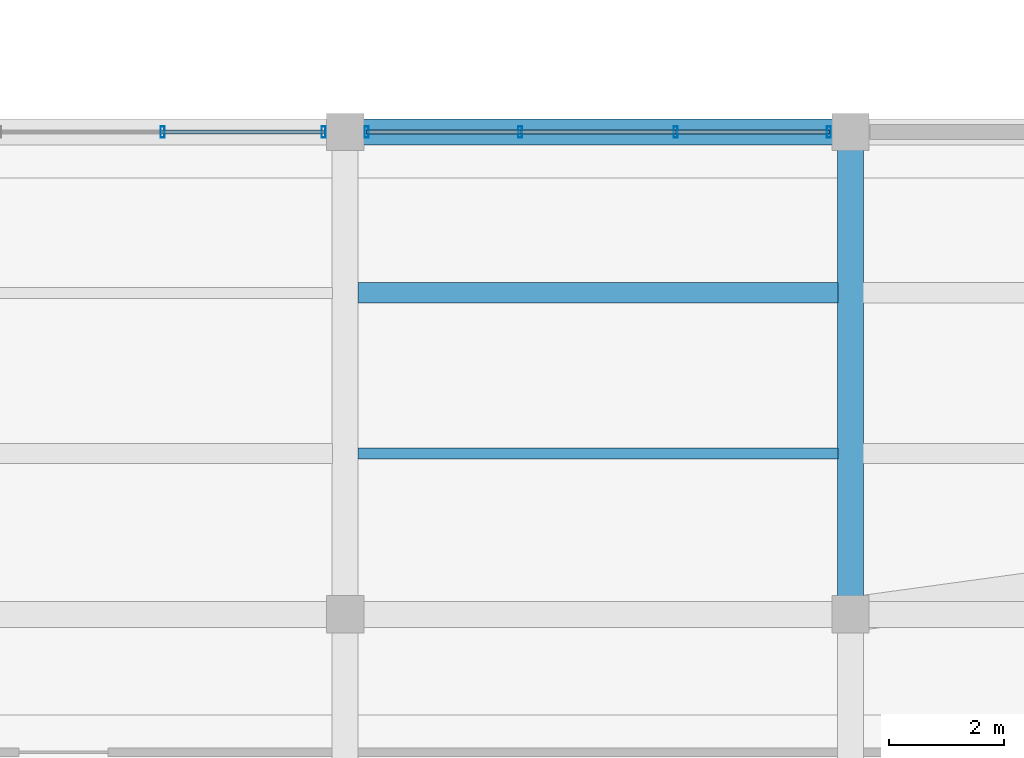
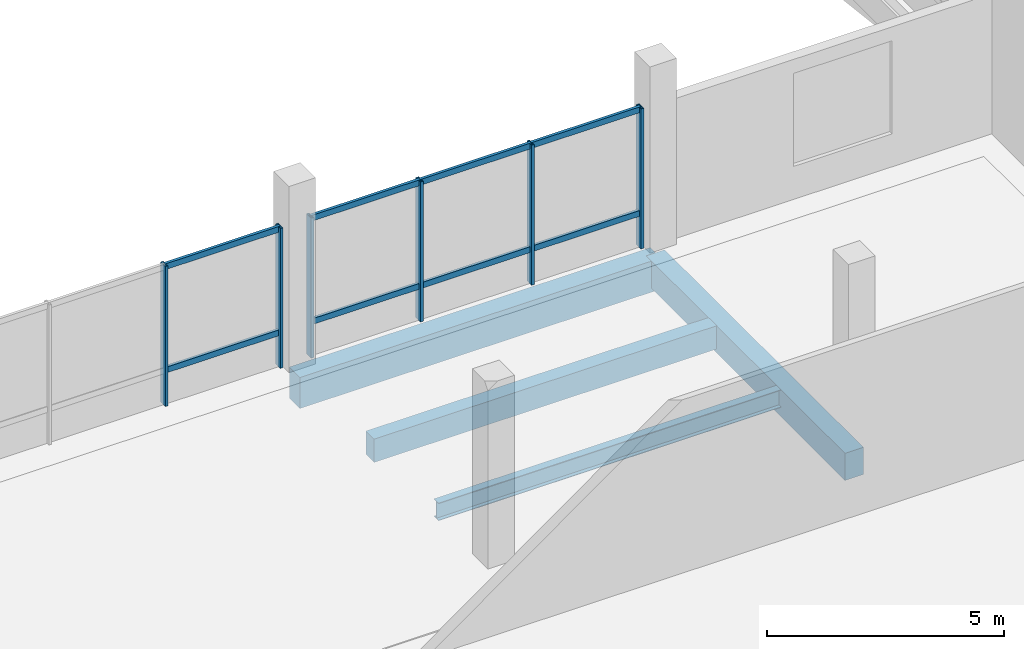
# One storey, part 28 of 71: 14 members, 4 beams, 2 elements without a shape of their own.
"""IFC4 building model written with IfcOpenShell, lengths in metres."""

from ifc_helpers import new_model, si_unit, direction, frame, origin, origin_2d, place, context, subcontext, project, spatial, rectangle, hollow_rectangle, i_section, extrude, material, layer, layer_set, material_profile, profile_set, type_object, element, aggregate, save


model = new_model("IFC4")

# Units and contexts
model_context = context("Model", 3, precision=1e-05, world=origin(), true_north=direction((0.0, 1.0)))
body_context = subcontext(model_context, "Body", "Model", "MODEL_VIEW")
ifc_project = project(units=[si_unit("LENGTHUNIT", "METRE"), si_unit("AREAUNIT", "SQUARE_METRE"), si_unit("VOLUMEUNIT", "CUBIC_METRE"), si_unit("PLANEANGLEUNIT", "RADIAN"), si_unit("MASSUNIT", "GRAM", prefix="KILO")], contexts=[model_context])

# Site, building, storey
site_placement = place(None, origin())
site = spatial("IfcSite", under=ifc_project, at=site_placement, CompositionType="ELEMENT")
building_placement = place(site_placement, origin())
building = spatial("IfcBuilding", under=site, at=building_placement, Name="Meriwether Solvik Hall", CompositionType="ELEMENT")
storey_placement = place(building_placement, frame((0.0, 0.0, 5.10009765625)))
storey = spatial("IfcBuildingStorey", under=building, at=storey_placement, Name="L01", CompositionType="ELEMENT", Elevation=5.10009765625)

# Beams
ifc_material_1 = material(Name="Concrete C40/50", Category="concrete")
ifc_material_profile_1 = material_profile(ifc_material_1, rectangle(XDim=0.35009765625, YDim=0.60009765625, at=origin_2d()), Name="RCB-350X600")
ifc_profile_set_1 = profile_set([ifc_material_profile_1], Name="Concrete C40/50")
beam_type_1 = type_object("IfcBeamType", Name="BM-RC-350X600", PredefinedType="JOIST", material=ifc_profile_set_1)
beam_1_placement = place(storey_placement, frame((41.820068359375, 72.39990234375, -0.60009765625), z_axis=(1.0, 0.0, 0.0), x_axis=(0.0, 1.0, 0.0)))
element("IfcBeam", 1, at=beam_1_placement, inside=storey, type_object=beam_type_1, Name="Secondary Floor Joist 5/H_J2 (L01)", PredefinedType="JOIST", context=body_context, shape_type="SweptSolid", body=[
    extrude(rectangle(XDim=0.35009765625, YDim=0.60009765625, at=origin_2d()), origin(), (0.0, 0.0, 1.0), 8.35986328125),
])
ifc_material_2 = material(Name="Concrete C40/50", Category="concrete")
ifc_material_profile_2 = material_profile(ifc_material_2, rectangle(XDim=0.449951171875, YDim=0.699951171875, at=origin_2d()), Name="RCB-450X700")
ifc_profile_set_2 = profile_set([ifc_material_profile_2], Name="Concrete C40/50")
beam_type_2 = type_object("IfcBeamType", Name="BM-RC-450X700", PredefinedType="BEAM", material=ifc_profile_set_2)
beam_2_placement = place(storey_placement, frame((50.39990234375, 66.800048828125, -0.650146484375), z_axis=(0.0, 1.0, 0.0), x_axis=(-1.0, 0.0, 0.0)))
element("IfcBeam", 2, at=beam_2_placement, inside=storey, type_object=beam_type_2, Name="Podium Girder 6:H-I (L01)", PredefinedType="BEAM", context=body_context, shape_type="SweptSolid", body=[
    extrude(rectangle(XDim=0.449951171875, YDim=0.699951171875, at=origin_2d()), origin(), (0.0, 0.0, 1.0), 8.39990234375),
])
ifc_material_3 = material(Name="Concrete C40/50", Category="concrete")
ifc_material_profile_3 = material_profile(ifc_material_3, rectangle(XDim=0.449951171875, YDim=0.800048828125, at=origin_2d()), Name="RCB-450X800")
ifc_profile_set_3 = profile_set([ifc_material_profile_3], Name="Concrete C40/50")
beam_type_3 = type_object("IfcBeamType", Name="BM-RC-450X800", PredefinedType="BEAM", material=ifc_profile_set_3)
beam_3_placement = place(storey_placement, frame((41.60009765625, 75.199951171875, -0.7001953125), z_axis=(1.0, 0.0, 0.0), x_axis=(0.0, 1.0, 0.0)))
element("IfcBeam", 3, at=beam_3_placement, inside=storey, type_object=beam_type_3, Name="Podium Girder I:5-6 (L01)", PredefinedType="BEAM", context=body_context, shape_type="SweptSolid", body=[
    extrude(rectangle(XDim=0.449951171875, YDim=0.800048828125, at=origin_2d()), origin(), (0.0, 0.0, 1.0), 8.7998046875),
])
ifc_material_4 = material(Name="Steel A992 Grade 50", Category="steel")
ifc_material_profile_4 = material_profile(ifc_material_4, i_section(OverallWidth=0.19091796875, OverallDepth=0.45703125, WebThickness=0.009033203125, FlangeThickness=0.014404296875, at=origin_2d()), Name="W18X50")
ifc_profile_set_4 = profile_set([ifc_material_profile_4], Name="Steel A992 Grade 50")
beam_type_4 = type_object("IfcBeamType", Name="BM-STL-W18X50", PredefinedType="JOIST", material=ifc_profile_set_4)
beam_4_placement = place(storey_placement, frame((41.820068359375, 69.60009765625, -0.528564453125), z_axis=(1.0, 0.0, 0.0), x_axis=(0.0, 1.0, 0.0)))
element("IfcBeam", 4, at=beam_4_placement, inside=storey, type_object=beam_type_4, Name="Secondary Floor Joist 5/H_J1 (L01)", PredefinedType="JOIST", context=body_context, shape_type="SweptSolid", body=[
    extrude(i_section(OverallWidth=0.19091796875, OverallDepth=0.45703125, WebThickness=0.009033203125, FlangeThickness=0.014404296875, at=origin_2d()), origin(), (0.0, 0.0, 1.0), 8.35986328125),
])

# Curtain wall, members
ifc_material_5 = material(Name="Thermally Broken Anodised Aluminium 6063-T6 and Low-E Glass", Category="aluminium")
ifc_layer = layer(ifc_material_5, 0.179931640625)
ifc_layer_set = layer_set([ifc_layer], Name="Thermally Broken Anodised Aluminium 6063-T6 and Low-E Glass")
curtain_wall_type = type_object("IfcCurtainWallType", Name="CW-SF-POD-B", PredefinedType="USERDEFINED", material=ifc_layer_set)
curtain_wall_1_placement = place(storey_placement, origin())
curtain_wall_1 = element("IfcCurtainWall", 5, at=curtain_wall_1_placement, inside=storey, type_object=curtain_wall_type, Name="Curtain Wall wing_XI_4_21 (L01)", ObjectType="STICK STOREFRONT GLAZING", PredefinedType="USERDEFINED")
ifc_material_6 = material(Name="Anodised Aluminium 6063-T6", Category="aluminium")
ifc_material_profile_5 = material_profile(ifc_material_6, hollow_rectangle(XDim=0.070068359375, YDim=0.199951171875, WallThickness=0.0048828125, at=origin_2d()), Name="CWM-70X200")
ifc_profile_set_5 = profile_set([ifc_material_profile_5], Name="Anodised Aluminium 6063-T6")
member_type_1 = type_object("IfcMemberType", Name="CW-MUL-70X200", PredefinedType="MULLION", material=ifc_profile_set_5)
member_1_placement = place(storey_placement, frame((38.4208984375, 75.199951171875, 0.0), z_axis=(0.0, 0.0, 1.0), x_axis=(1.0, 0.0, 0.0)))
member_1 = element("IfcMember", 6, at=member_1_placement, type_object=member_type_1, Name="Curtain Wall Mullion 3", PredefinedType="MULLION", context=body_context, shape_type="SweptSolid", body=[
    extrude(hollow_rectangle(XDim=0.070068359375, YDim=0.199951171875, WallThickness=0.0048828125, at=origin_2d()), origin(), (0.0, 0.0, 1.0), 3.60986328125),
])
member_2_placement = place(storey_placement, frame((41.22509765625, 75.199951171875, 0.0), z_axis=(0.0, 0.0, 1.0), x_axis=(1.0, 0.0, 0.0)))
member_2 = element("IfcMember", 7, at=member_2_placement, type_object=member_type_1, Name="Curtain Wall Mullion 4", PredefinedType="MULLION", context=body_context, shape_type="SweptSolid", body=[
    extrude(hollow_rectangle(XDim=0.070068359375, YDim=0.199951171875, WallThickness=0.0048828125, at=origin_2d()), origin(), (0.0, 0.0, 1.0), 3.60986328125),
])

curtain_wall_2_placement = place(storey_placement, origin())
curtain_wall_2 = element("IfcCurtainWall", 8, at=curtain_wall_2_placement, inside=storey, type_object=curtain_wall_type, Name="Curtain Wall wing_XI_5_22 (L01)", ObjectType="STICK STOREFRONT GLAZING", PredefinedType="USERDEFINED")
member_3_placement = place(storey_placement, frame((41.97509765625, 75.199951171875, 0.0), z_axis=(0.0, 0.0, 1.0), x_axis=(1.0, 0.0, 0.0)))
member_3 = element("IfcMember", 9, at=member_3_placement, type_object=member_type_1, Name="Curtain Wall Mullion 1", PredefinedType="MULLION", context=body_context, shape_type="SweptSolid", body=[
    extrude(hollow_rectangle(XDim=0.070068359375, YDim=0.199951171875, WallThickness=0.0048828125, at=origin_2d()), origin(), (0.0, 0.0, 1.0), 3.60986328125),
])
member_4_placement = place(storey_placement, frame((44.645751953125, 75.199951171875, 0.0), z_axis=(0.0, 0.0, 1.0), x_axis=(1.0, 0.0, 0.0)))
member_4 = element("IfcMember", 10, at=member_4_placement, type_object=member_type_1, Name="Curtain Wall Mullion 2", PredefinedType="MULLION", context=body_context, shape_type="SweptSolid", body=[
    extrude(hollow_rectangle(XDim=0.070068359375, YDim=0.199951171875, WallThickness=0.0048828125, at=origin_2d()), origin(), (0.0, 0.0, 1.0), 3.60986328125),
])
member_5_placement = place(storey_placement, frame((47.354248046875, 75.199951171875, 0.0), z_axis=(0.0, 0.0, 1.0), x_axis=(1.0, 0.0, 0.0)))
member_5 = element("IfcMember", 11, at=member_5_placement, type_object=member_type_1, Name="Curtain Wall Mullion 3", PredefinedType="MULLION", context=body_context, shape_type="SweptSolid", body=[
    extrude(hollow_rectangle(XDim=0.070068359375, YDim=0.199951171875, WallThickness=0.0048828125, at=origin_2d()), origin(), (0.0, 0.0, 1.0), 3.60986328125),
])
member_6_placement = place(storey_placement, frame((50.02490234375, 75.199951171875, 0.0), z_axis=(0.0, 0.0, 1.0), x_axis=(1.0, 0.0, 0.0)))
member_6 = element("IfcMember", 12, at=member_6_placement, type_object=member_type_1, Name="Curtain Wall Mullion 4", PredefinedType="MULLION", context=body_context, shape_type="SweptSolid", body=[
    extrude(hollow_rectangle(XDim=0.070068359375, YDim=0.199951171875, WallThickness=0.0048828125, at=origin_2d()), origin(), (0.0, 0.0, 1.0), 3.60986328125),
])

# Member
ifc_material_7 = material(Name="Anodised Aluminium 6063-T6", Category="aluminium")
ifc_material_profile_6 = material_profile(ifc_material_7, hollow_rectangle(XDim=0.070068359375, YDim=0.14990234375, WallThickness=0.0048828125, at=origin_2d()), Name="CWT-70X150")
ifc_profile_set_6 = profile_set([ifc_material_profile_6], Name="Anodised Aluminium 6063-T6")
member_type_2 = type_object("IfcMemberType", Name="CW-TRN-70X150", PredefinedType="USERDEFINED", material=ifc_profile_set_6)
member_7_placement = place(storey_placement, frame((38.4208984375, 75.199951171875, 0.8798828125), z_axis=(1.0, 0.0, 0.0), x_axis=(0.0, 1.0, 0.0)))
member_7 = element("IfcMember", 13, at=member_7_placement, type_object=member_type_2, Name="Curtain Wall Transom 3-sill", ObjectType="TRANSOM", PredefinedType="USERDEFINED", context=body_context, shape_type="SweptSolid", body=[
    extrude(hollow_rectangle(XDim=0.070068359375, YDim=0.14990234375, WallThickness=0.0048828125, at=origin_2d()), origin(), (0.0, 0.0, 1.0), 2.80419921875),
])

member_8_placement = place(storey_placement, frame((38.4208984375, 75.199951171875, 3.5498046875), z_axis=(1.0, 0.0, 0.0), x_axis=(0.0, 1.0, 0.0)))
member_8 = element("IfcMember", 14, at=member_8_placement, type_object=member_type_2, Name="Curtain Wall Transom 3-head", ObjectType="TRANSOM", PredefinedType="USERDEFINED", context=body_context, shape_type="SweptSolid", body=[
    extrude(hollow_rectangle(XDim=0.070068359375, YDim=0.14990234375, WallThickness=0.0048828125, at=origin_2d()), origin(), (0.0, 0.0, 1.0), 2.80419921875),
])

aggregate(curtain_wall_1, [member_1, member_2, member_7, member_8])

member_9_placement = place(storey_placement, frame((41.97509765625, 75.199951171875, 0.8798828125), z_axis=(1.0, 0.0, 0.0), x_axis=(0.0, 1.0, 0.0)))
member_9 = element("IfcMember", 15, at=member_9_placement, type_object=member_type_2, Name="Curtain Wall Transom 1-sill", ObjectType="TRANSOM", PredefinedType="USERDEFINED", context=body_context, shape_type="SweptSolid", body=[
    extrude(hollow_rectangle(XDim=0.070068359375, YDim=0.14990234375, WallThickness=0.0048828125, at=origin_2d()), origin(), (0.0, 0.0, 1.0), 2.670654296875),
])

member_10_placement = place(storey_placement, frame((41.97509765625, 75.199951171875, 3.5498046875), z_axis=(1.0, 0.0, 0.0), x_axis=(0.0, 1.0, 0.0)))
member_10 = element("IfcMember", 16, at=member_10_placement, type_object=member_type_2, Name="Curtain Wall Transom 1-head", ObjectType="TRANSOM", PredefinedType="USERDEFINED", context=body_context, shape_type="SweptSolid", body=[
    extrude(hollow_rectangle(XDim=0.070068359375, YDim=0.14990234375, WallThickness=0.0048828125, at=origin_2d()), origin(), (0.0, 0.0, 1.0), 2.670654296875),
])

member_11_placement = place(storey_placement, frame((44.645751953125, 75.199951171875, 0.8798828125), z_axis=(1.0, 0.0, 0.0), x_axis=(0.0, 1.0, 0.0)))
member_11 = element("IfcMember", 17, at=member_11_placement, type_object=member_type_2, Name="Curtain Wall Transom 2-sill", ObjectType="TRANSOM", PredefinedType="USERDEFINED", context=body_context, shape_type="SweptSolid", body=[
    extrude(hollow_rectangle(XDim=0.070068359375, YDim=0.14990234375, WallThickness=0.0048828125, at=origin_2d()), origin(), (0.0, 0.0, 1.0), 2.70849609375),
])

member_12_placement = place(storey_placement, frame((44.645751953125, 75.199951171875, 3.5498046875), z_axis=(1.0, 0.0, 0.0), x_axis=(0.0, 1.0, 0.0)))
member_12 = element("IfcMember", 18, at=member_12_placement, type_object=member_type_2, Name="Curtain Wall Transom 2-head", ObjectType="TRANSOM", PredefinedType="USERDEFINED", context=body_context, shape_type="SweptSolid", body=[
    extrude(hollow_rectangle(XDim=0.070068359375, YDim=0.14990234375, WallThickness=0.0048828125, at=origin_2d()), origin(), (0.0, 0.0, 1.0), 2.70849609375),
])

member_13_placement = place(storey_placement, frame((47.354248046875, 75.199951171875, 0.8798828125), z_axis=(1.0, 0.0, 0.0), x_axis=(0.0, 1.0, 0.0)))
member_13 = element("IfcMember", 19, at=member_13_placement, type_object=member_type_2, Name="Curtain Wall Transom 3-sill", ObjectType="TRANSOM", PredefinedType="USERDEFINED", context=body_context, shape_type="SweptSolid", body=[
    extrude(hollow_rectangle(XDim=0.070068359375, YDim=0.14990234375, WallThickness=0.0048828125, at=origin_2d()), origin(), (0.0, 0.0, 1.0), 2.670654296875),
])

member_14_placement = place(storey_placement, frame((47.354248046875, 75.199951171875, 3.5498046875), z_axis=(1.0, 0.0, 0.0), x_axis=(0.0, 1.0, 0.0)))
member_14 = element("IfcMember", 20, at=member_14_placement, type_object=member_type_2, Name="Curtain Wall Transom 3-head", ObjectType="TRANSOM", PredefinedType="USERDEFINED", context=body_context, shape_type="SweptSolid", body=[
    extrude(hollow_rectangle(XDim=0.070068359375, YDim=0.14990234375, WallThickness=0.0048828125, at=origin_2d()), origin(), (0.0, 0.0, 1.0), 2.670654296875),
])

aggregate(curtain_wall_2, [member_3, member_4, member_5, member_6, member_9, member_10, member_11, member_12, member_13, member_14])

save(model, "model.ifc")
